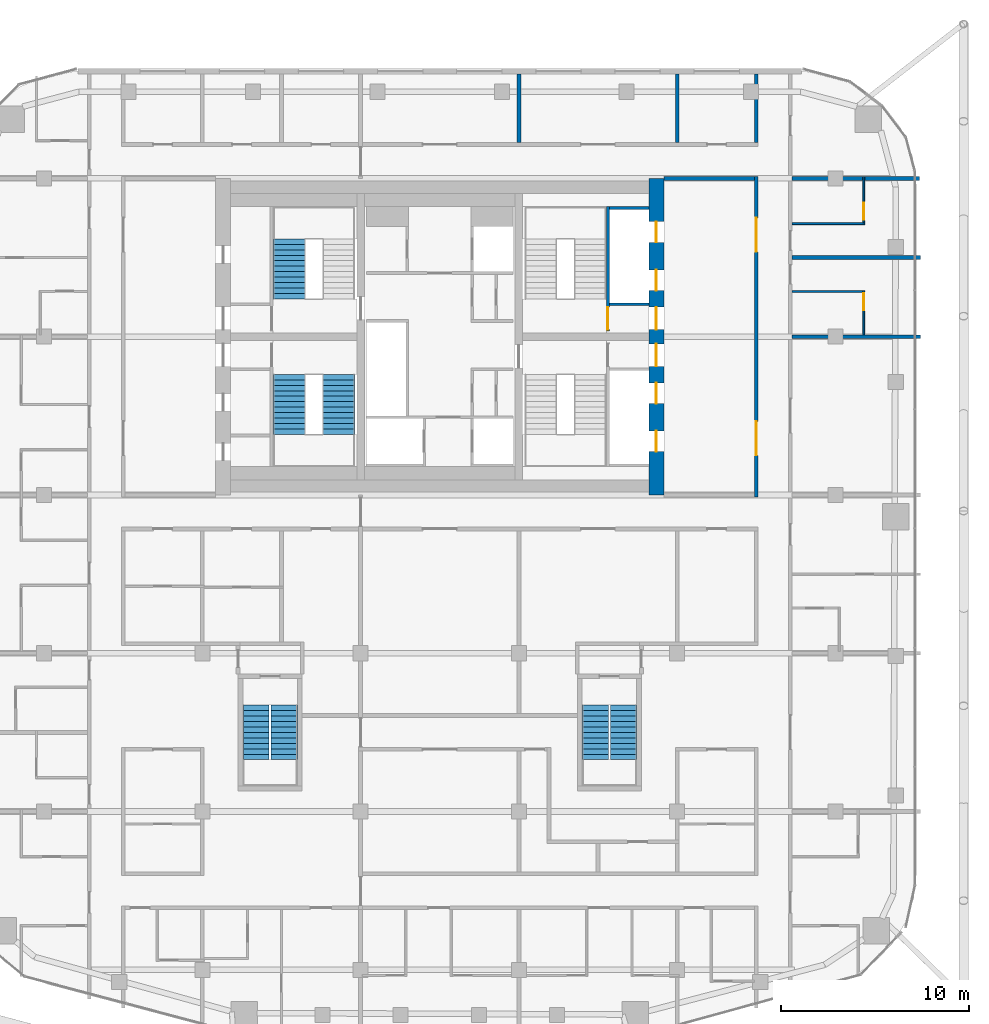
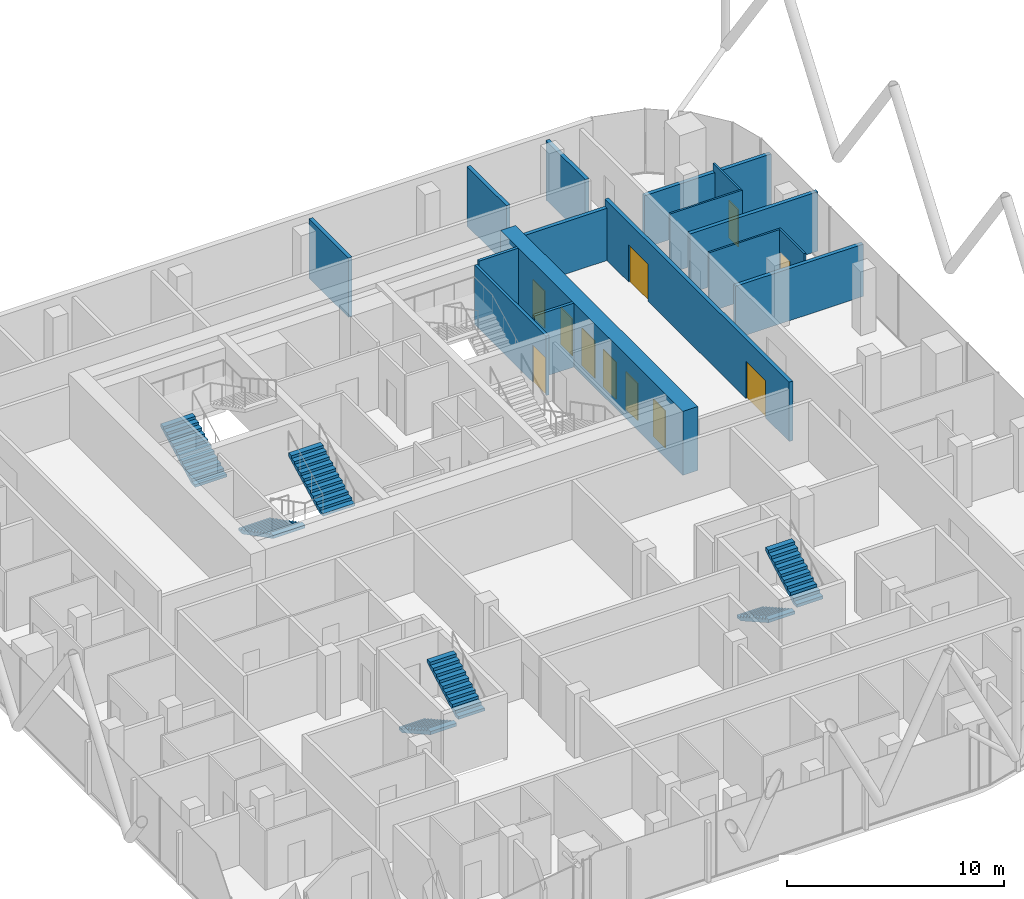
# One storey, part 26 of 28: 16 walls, 11 doors, 7 stair flights, 11 openings, 4 elements without a shape of their own.
"""IFC4 building model written with IfcOpenShell, lengths in metres."""

from ifc_helpers import new_model, si_unit, direction, frame, frame_2d, origin, place, context, subcontext, project, spatial, polyline, rectangle, outline, extrude, material, layer, layer_set, type_object, element, fill, aggregate, save


model = new_model("IFC4")

# Units and contexts
model_context = context("Model", 3, precision=1e-05, world=origin(), true_north=direction((0.0, 1.0)))
body_context = subcontext(model_context, "Body", "Model", "MODEL_VIEW")
ifc_project = project(units=[si_unit("LENGTHUNIT", "METRE"), si_unit("AREAUNIT", "SQUARE_METRE"), si_unit("VOLUMEUNIT", "CUBIC_METRE"), si_unit("PLANEANGLEUNIT", "RADIAN"), si_unit("MASSUNIT", "GRAM", prefix="KILO")], contexts=[model_context])

# Site, building, storey
site_placement = place(None, origin())
site = spatial("IfcSite", under=ifc_project, at=site_placement, CompositionType="ELEMENT")
building_placement = place(site_placement, origin())
building = spatial("IfcBuilding", under=site, at=building_placement, Name="Marenta Gate Hotel Tower", CompositionType="ELEMENT")
storey_placement = place(building_placement, frame((0.0, 0.0, 198.5)))
storey = spatial("IfcBuildingStorey", under=building, at=storey_placement, Name="L45", CompositionType="ELEMENT", Elevation=198.5)

# Wall, openings, doors
ifc_material_1 = material(Name="Concrete blockwork", Category="masonry")
ifc_layer_1 = layer(ifc_material_1, 0.199951171875)
ifc_layer_set_1 = layer_set([ifc_layer_1], Name="Concrete blockwork")
wall_type_1 = type_object("IfcWallType", Name="Core boundary wall 200 REI 180", PredefinedType="PARTITIONING", material=ifc_layer_set_1)
wall_1_placement = place(storey_placement, frame((16.800048828125, -0.10009765625, 0.0), z_axis=(0.0, 0.0, 1.0), x_axis=(0.0, 1.0, 0.0)))
wall_1 = element("IfcWall", 1, at=wall_1_placement, inside=storey, type_object=wall_type_1, Name="L45-CP-BW-E", PredefinedType="PARTITIONING", context=body_context, shape_type="SweptSolid", body=[
    extrude(rectangle(XDim=17.0, YDim=0.199951171875, at=frame_2d((8.5, 0.0))), origin(), (0.0, 0.0, 1.0), 3.340087890625),
])
opening_1_placement = place(wall_1_placement, frame((2.199951171875, 0.0, 0.0)))
opening_1 = element("IfcOpeningElement", 2, at=opening_1_placement, cuts=wall_1, Name="Opening ED-Ea-B", PredefinedType="OPENING", context=body_context, shape_type="SweptSolid", body=[
    extrude(rectangle(XDim=1.800048828125, YDim=2.10009765625, at=frame_2d((0.89990234375, 1.050048828125))), frame((0.0, 0.10009765625, 0.0), z_axis=(0.0, -1.0, 0.0), x_axis=(1.0, 0.0, 0.0)), (0.0, 0.0, 1.0), 0.199951171875),
])
opening_2_placement = place(wall_1_placement, frame((13.0, 0.0, 0.0)))
opening_2 = element("IfcOpeningElement", 3, at=opening_2_placement, cuts=wall_1, Name="Opening ED-Eb-B", PredefinedType="OPENING", context=body_context, shape_type="SweptSolid", body=[
    extrude(rectangle(XDim=1.800048828125, YDim=2.10009765625, at=frame_2d((0.89990234375, 1.050048828125))), frame((0.0, 0.10009765625, 0.0), z_axis=(0.0, -1.0, 0.0), x_axis=(1.0, 0.0, 0.0)), (0.0, 0.0, 1.0), 0.199951171875),
])
ifc_material_2 = material(Name="Steel", Category="steel")
door_type_1 = type_object("IfcDoorType", Name="Core lobby entrance door 1800x2100 EI 60", OperationType="DOUBLE_DOOR_SINGLE_SWING", PredefinedType="DOOR", material=ifc_material_2)
door_1_placement = place(opening_1_placement, origin())
door_1 = element("IfcDoor", 4, at=door_1_placement, inside=storey, type_object=door_type_1, Name="ED-Ea-B", OperationType="DOUBLE_DOOR_SINGLE_SWING", OverallHeight=2.10009765625, OverallWidth=1.800048828125, PredefinedType="DOOR", context=body_context, shape_type="SweptSolid", body=[
    extrude(rectangle(XDim=1.800048828125, YDim=2.10009765625, at=frame_2d((0.89990234375, 1.050048828125))), frame((0.0, 0.02490234375, 0.0), z_axis=(0.0, -1.0, 0.0), x_axis=(1.0, 0.0, 0.0)), (0.0, 0.0, 1.0), 0.050048828125),
])
fill(opening_1, door_1)
door_2_placement = place(opening_2_placement, origin())
door_2 = element("IfcDoor", 5, at=door_2_placement, inside=storey, type_object=door_type_1, Name="ED-Eb-B", OperationType="DOUBLE_DOOR_SINGLE_SWING", OverallHeight=2.10009765625, OverallWidth=1.800048828125, PredefinedType="DOOR", context=body_context, shape_type="SweptSolid", body=[
    extrude(rectangle(XDim=1.800048828125, YDim=2.10009765625, at=frame_2d((0.89990234375, 1.050048828125))), frame((0.0, 0.02490234375, 0.0), z_axis=(0.0, -1.0, 0.0), x_axis=(1.0, 0.0, 0.0)), (0.0, 0.0, 1.0), 0.050048828125),
])
fill(opening_2, door_2)

# Walls
wall_2_placement = place(storey_placement, frame((11.89990234375, 16.800048828125, 0.0), z_axis=(0.0, 0.0, 1.0), x_axis=(1.0, 0.0, 0.0)))
element("IfcWall", 6, at=wall_2_placement, inside=storey, type_object=wall_type_1, Name="L45-CP-EW-EN", PredefinedType="PARTITIONING", context=body_context, shape_type="SweptSolid", body=[
    extrude(rectangle(XDim=4.800048828125, YDim=0.199951171875, at=frame_2d((2.39990234375, 0.0))), origin(), (0.0, 0.0, 1.0), 2.93994140625),
])
ifc_material_3 = material(Name="Concrete C40", Category="concrete")
ifc_layer_2 = layer(ifc_material_3, 0.14990234375)
ifc_layer_set_2 = layer_set([ifc_layer_2], Name="Concrete C40")
wall_type_2 = type_object("IfcWallType", Name="Core shaft wall 150 REI 180", PredefinedType="SHEAR", material=ifc_layer_set_2)
for number, where, z_axis, x_axis, name in (
    (7, (9.0, 10.125, 0.0), (0.0, 0.0, 1.0), (1.0, 0.0, 0.0), "L45-SHF-SW-EN-2"),
    (8, (9.0, 15.22509765625, 0.0), (0.0, 0.0, 1.0), (1.0, 0.0, 0.0), "L45-SHF-SW-EN-5"),
):
    element("IfcWall", number, at=place(storey_placement, frame(where, z_axis=z_axis, x_axis=x_axis)), inside=storey, type_object=wall_type_2, Name=name, PredefinedType="SHEAR", context=body_context, shape_type="SweptSolid", body=[
        extrude(rectangle(XDim=2.10009765625, YDim=0.14990234375, at=frame_2d((1.050048828125, 0.0))), origin(), (0.0, 0.0, 1.0), 3.60009765625),
    ])

# Wall, opening, door
ifc_material_4 = material(Name="Concrete C40", Category="concrete")
ifc_layer_3 = layer(ifc_material_4, 0.14990234375)
ifc_layer_set_3 = layer_set([ifc_layer_3], Name="Concrete C40")
wall_type_3 = type_object("IfcWallType", Name="Core stair enclosure wall 150 REI 180", PredefinedType="SHEAR", material=ifc_layer_set_3)
wall_3_placement = place(storey_placement, frame((8.925048828125, 8.699951171875, 0.0), z_axis=(0.0, 0.0, 1.0), x_axis=(0.0, 1.0, 0.0)))
wall_3 = element("IfcWall", 9, at=wall_3_placement, inside=storey, type_object=wall_type_3, Name="L45-SHF-SW-EN-3", PredefinedType="SHEAR", context=body_context, shape_type="SweptSolid", body=[
    extrude(rectangle(XDim=6.60009765625, YDim=0.14990234375, at=frame_2d((3.300048828125, 0.0))), origin(), (0.0, 0.0, 1.0), 3.340087890625),
])
opening_3_placement = place(wall_3_placement, frame((0.074951171875, 0.0, 0.0)))
opening_3 = element("IfcOpeningElement", 10, at=opening_3_placement, cuts=wall_3, Name="Opening SD-EN", PredefinedType="OPENING", context=body_context, shape_type="SweptSolid", body=[
    extrude(rectangle(XDim=1.199951171875, YDim=2.10009765625, at=frame_2d((0.60009765625, 1.050048828125))), frame((0.0, 0.074951171875, 0.0), z_axis=(0.0, -1.0, 0.0), x_axis=(1.0, 0.0, 0.0)), (0.0, 0.0, 1.0), 0.14990234375),
])
ifc_material_5 = material(Name="Steel", Category="steel")
door_type_2 = type_object("IfcDoorType", Name="Core stair door 1200x2100 FD60", OperationType="SINGLE_SWING_LEFT", PredefinedType="DOOR", material=ifc_material_5)
door_3_placement = place(opening_3_placement, origin())
door_3 = element("IfcDoor", 11, at=door_3_placement, inside=storey, type_object=door_type_2, Name="SD-EN", OperationType="SINGLE_SWING_LEFT", OverallHeight=2.10009765625, OverallWidth=1.199951171875, PredefinedType="DOOR", context=body_context, shape_type="SweptSolid", body=[
    extrude(rectangle(XDim=1.199951171875, YDim=2.10009765625, at=frame_2d((0.60009765625, 1.050048828125))), frame((0.0, 0.02490234375, 0.0), z_axis=(0.0, -1.0, 0.0), x_axis=(1.0, 0.0, 0.0)), (0.0, 0.0, 1.0), 0.050048828125),
])
fill(opening_3, door_3)

# Wall, openings, doors
ifc_material_6 = material(Name="Concrete C60", Category="concrete")
ifc_layer_4 = layer(ifc_material_6, 0.800048828125)
ifc_layer_set_4 = layer_set([ifc_layer_4], Name="Concrete C60")
wall_type_4 = type_object("IfcWallType", Name="Core wall 800 C60", PredefinedType="SHEAR", material=ifc_layer_set_4)
wall_4_placement = place(storey_placement, frame((11.5, 0.0, 0.0), z_axis=(0.0, 0.0, 1.0), x_axis=(0.0, 1.0, 0.0)))
wall_4 = element("IfcWall", 12, at=wall_4_placement, inside=storey, type_object=wall_type_4, Name="L45-CORE-E", PredefinedType="SHEAR", context=body_context, shape_type="SweptSolid", body=[
    extrude(rectangle(XDim=16.800048828125, YDim=0.800048828125, at=frame_2d((8.39990234375, 0.0))), origin(), (0.0, 0.0, 1.0), 3.60009765625),
])
opening_4_placement = place(wall_4_placement, frame((2.300048828125, 0.0, 0.0)))
opening_4 = element("IfcOpeningElement", 13, at=opening_4_placement, cuts=wall_4, Name="Opening LD-HR1", PredefinedType="OPENING", context=body_context, shape_type="SweptSolid", body=[
    extrude(rectangle(XDim=1.10009765625, YDim=2.10009765625, at=frame_2d((0.550048828125, 1.050048828125))), frame((0.0, 0.39990234375, 0.0), z_axis=(0.0, -1.0, 0.0), x_axis=(1.0, 0.0, 0.0)), (0.0, 0.0, 1.0), 0.800048828125),
])
opening_5_placement = place(wall_4_placement, frame((4.85009765625, 0.0, 0.0)))
opening_5 = element("IfcOpeningElement", 14, at=opening_5_placement, cuts=wall_4, Name="Opening LD-HR2", PredefinedType="OPENING", context=body_context, shape_type="SweptSolid", body=[
    extrude(rectangle(XDim=1.10009765625, YDim=2.10009765625, at=frame_2d((0.550048828125, 1.050048828125))), frame((0.0, 0.39990234375, 0.0), z_axis=(0.0, -1.0, 0.0), x_axis=(1.0, 0.0, 0.0)), (0.0, 0.0, 1.0), 0.800048828125),
])
opening_6_placement = place(wall_4_placement, frame((6.824951171875, 0.0, 0.0)))
opening_6 = element("IfcOpeningElement", 15, at=opening_6_placement, cuts=wall_4, Name="Opening PD-ES", PredefinedType="OPENING", context=body_context, shape_type="SweptSolid", body=[
    extrude(rectangle(XDim=1.199951171875, YDim=2.10009765625, at=frame_2d((0.60009765625, 1.050048828125))), frame((0.0, 0.39990234375, 0.0), z_axis=(0.0, -1.0, 0.0), x_axis=(1.0, 0.0, 0.0)), (0.0, 0.0, 1.0), 0.800048828125),
])
opening_7_placement = place(wall_4_placement, frame((13.39990234375, 0.0, 0.0)))
opening_7 = element("IfcOpeningElement", 16, at=opening_7_placement, cuts=wall_4, Name="Opening LD-HR4", PredefinedType="OPENING", context=body_context, shape_type="SweptSolid", body=[
    extrude(rectangle(XDim=1.10009765625, YDim=2.10009765625, at=frame_2d((0.550048828125, 1.050048828125))), frame((0.0, 0.39990234375, 0.0), z_axis=(0.0, -1.0, 0.0), x_axis=(1.0, 0.0, 0.0)), (0.0, 0.0, 1.0), 0.800048828125),
])
opening_8_placement = place(wall_4_placement, frame((10.85009765625, 0.0, 0.0)))
opening_8 = element("IfcOpeningElement", 17, at=opening_8_placement, cuts=wall_4, Name="Opening LD-HR3", PredefinedType="OPENING", context=body_context, shape_type="SweptSolid", body=[
    extrude(rectangle(XDim=1.10009765625, YDim=2.10009765625, at=frame_2d((0.550048828125, 1.050048828125))), frame((0.0, 0.39990234375, 0.0), z_axis=(0.0, -1.0, 0.0), x_axis=(1.0, 0.0, 0.0)), (0.0, 0.0, 1.0), 0.800048828125),
])
opening_9_placement = place(wall_4_placement, frame((8.77490234375, 0.0, 0.0)))
opening_9 = element("IfcOpeningElement", 18, at=opening_9_placement, cuts=wall_4, Name="Opening PD-EN", PredefinedType="OPENING", context=body_context, shape_type="SweptSolid", body=[
    extrude(rectangle(XDim=1.199951171875, YDim=2.10009765625, at=frame_2d((0.60009765625, 1.050048828125))), frame((0.0, 0.39990234375, 0.0), z_axis=(0.0, -1.0, 0.0), x_axis=(1.0, 0.0, 0.0)), (0.0, 0.0, 1.0), 0.800048828125),
])
ifc_material_7 = material(Name="Steel", Category="steel")
door_type_3 = type_object("IfcDoorType", Name="Core lift landing door 1100x2100 E 60", OperationType="SLIDING_TO_LEFT", PredefinedType="DOOR", material=ifc_material_7)
door_4_placement = place(opening_4_placement, origin())
door_4 = element("IfcDoor", 19, at=door_4_placement, inside=storey, type_object=door_type_3, Name="LD-HR1", OperationType="SLIDING_TO_LEFT", OverallHeight=2.10009765625, OverallWidth=1.10009765625, PredefinedType="DOOR", context=body_context, shape_type="SweptSolid", body=[
    extrude(rectangle(XDim=1.10009765625, YDim=2.10009765625, at=frame_2d((0.550048828125, 1.050048828125))), frame((0.0, 0.02490234375, 0.0), z_axis=(0.0, -1.0, 0.0), x_axis=(1.0, 0.0, 0.0)), (0.0, 0.0, 1.0), 0.050048828125),
])
fill(opening_4, door_4)
door_5_placement = place(opening_5_placement, origin())
door_5 = element("IfcDoor", 20, at=door_5_placement, inside=storey, type_object=door_type_3, Name="LD-HR2", OperationType="SLIDING_TO_LEFT", OverallHeight=2.10009765625, OverallWidth=1.10009765625, PredefinedType="DOOR", context=body_context, shape_type="SweptSolid", body=[
    extrude(rectangle(XDim=1.10009765625, YDim=2.10009765625, at=frame_2d((0.550048828125, 1.050048828125))), frame((0.0, 0.02490234375, 0.0), z_axis=(0.0, -1.0, 0.0), x_axis=(1.0, 0.0, 0.0)), (0.0, 0.0, 1.0), 0.050048828125),
])
fill(opening_5, door_5)
door_6_placement = place(opening_7_placement, origin())
door_6 = element("IfcDoor", 21, at=door_6_placement, inside=storey, type_object=door_type_3, Name="LD-HR4", OperationType="SLIDING_TO_LEFT", OverallHeight=2.10009765625, OverallWidth=1.10009765625, PredefinedType="DOOR", context=body_context, shape_type="SweptSolid", body=[
    extrude(rectangle(XDim=1.10009765625, YDim=2.10009765625, at=frame_2d((0.550048828125, 1.050048828125))), frame((0.0, 0.02490234375, 0.0), z_axis=(0.0, -1.0, 0.0), x_axis=(1.0, 0.0, 0.0)), (0.0, 0.0, 1.0), 0.050048828125),
])
fill(opening_7, door_6)
door_7_placement = place(opening_8_placement, origin())
door_7 = element("IfcDoor", 22, at=door_7_placement, inside=storey, type_object=door_type_3, Name="LD-HR3", OperationType="SLIDING_TO_LEFT", OverallHeight=2.10009765625, OverallWidth=1.10009765625, PredefinedType="DOOR", context=body_context, shape_type="SweptSolid", body=[
    extrude(rectangle(XDim=1.10009765625, YDim=2.10009765625, at=frame_2d((0.550048828125, 1.050048828125))), frame((0.0, 0.02490234375, 0.0), z_axis=(0.0, -1.0, 0.0), x_axis=(1.0, 0.0, 0.0)), (0.0, 0.0, 1.0), 0.050048828125),
])
fill(opening_8, door_7)
ifc_material_8 = material(Name="Steel", Category="steel")
door_type_4 = type_object("IfcDoorType", Name="Core lobby door 1200x2100 FD60", OperationType="SINGLE_SWING_LEFT", PredefinedType="DOOR", material=ifc_material_8)
door_8_placement = place(opening_6_placement, origin())
door_8 = element("IfcDoor", 23, at=door_8_placement, inside=storey, type_object=door_type_4, Name="PD-ES", OperationType="SINGLE_SWING_LEFT", OverallHeight=2.10009765625, OverallWidth=1.199951171875, PredefinedType="DOOR", context=body_context, shape_type="SweptSolid", body=[
    extrude(rectangle(XDim=1.199951171875, YDim=2.10009765625, at=frame_2d((0.60009765625, 1.050048828125))), frame((0.0, 0.02490234375, 0.0), z_axis=(0.0, -1.0, 0.0), x_axis=(1.0, 0.0, 0.0)), (0.0, 0.0, 1.0), 0.050048828125),
])
fill(opening_6, door_8)
door_9_placement = place(opening_9_placement, origin())
door_9 = element("IfcDoor", 24, at=door_9_placement, inside=storey, type_object=door_type_4, Name="PD-EN", OperationType="SINGLE_SWING_LEFT", OverallHeight=2.10009765625, OverallWidth=1.199951171875, PredefinedType="DOOR", context=body_context, shape_type="SweptSolid", body=[
    extrude(rectangle(XDim=1.199951171875, YDim=2.10009765625, at=frame_2d((0.60009765625, 1.050048828125))), frame((0.0, 0.02490234375, 0.0), z_axis=(0.0, -1.0, 0.0), x_axis=(1.0, 0.0, 0.0)), (0.0, 0.0, 1.0), 0.050048828125),
])
fill(opening_9, door_9)

# Wall
ifc_material_9 = material(Name="Gypsum board on steel stud", Category="steel")
ifc_layer_5 = layer(ifc_material_9, 0.199951171875)
ifc_layer_set_5 = layer_set([ifc_layer_5], Name="Gypsum board on steel stud")
wall_type_5 = type_object("IfcWallType", Name="Room corridor wall 200 EI 60", PredefinedType="PARTITIONING", material=ifc_layer_set_5)
wall_5_placement = place(storey_placement, frame((16.800048828125, 18.699951171875, 0.0), z_axis=(0.0, 0.0, 1.0), x_axis=(0.0, 1.0, 0.0)))
element("IfcWall", 25, at=wall_5_placement, inside=storey, type_object=wall_type_5, Name="L45-PTN-W026", PredefinedType="PARTITIONING", context=body_context, shape_type="SweptSolid", body=[
    extrude(rectangle(XDim=3.64013671875, YDim=0.199951171875, at=frame_2d((1.820068359375, 0.0))), origin(), (0.0, 0.0, 1.0), 3.340087890625),
])

# Wall, opening, door
ifc_material_10 = material(Name="Gypsum board on steel stud", Category="steel")
ifc_layer_6 = layer(ifc_material_10, 0.10009765625)
ifc_layer_set_6 = layer_set([ifc_layer_6], Name="Gypsum board on steel stud")
wall_type_6 = type_object("IfcWallType", Name="Room partition 100", PredefinedType="PARTITIONING", material=ifc_layer_set_6)
wall_6_placement = place(storey_placement, frame((22.5, 8.5, 0.0), z_axis=(0.0, 0.0, 1.0), x_axis=(0.0, 1.0, 0.0)))
wall_6 = element("IfcWall", 26, at=wall_6_placement, inside=storey, type_object=wall_type_6, Name="L45-PTN-W009", PredefinedType="PARTITIONING", context=body_context, shape_type="SweptSolid", body=[
    extrude(rectangle(XDim=2.35009765625, YDim=0.10009765625, at=frame_2d((1.175048828125, 0.0))), origin(), (0.0, 0.0, 1.0), 3.340087890625),
])
opening_10_placement = place(wall_6_placement, frame((1.300048828125, 0.0, 0.0)))
opening_10 = element("IfcOpeningElement", 27, at=opening_10_placement, cuts=wall_6, Name="Opening G16-25", PredefinedType="OPENING", context=body_context, shape_type="SweptSolid", body=[
    extrude(rectangle(XDim=0.89990234375, YDim=2.10009765625, at=frame_2d((0.449951171875, 1.050048828125))), frame((0.0, 0.050048828125, 0.0), z_axis=(0.0, -1.0, 0.0), x_axis=(1.0, 0.0, 0.0)), (0.0, 0.0, 1.0), 0.10009765625),
])
ifc_material_11 = material(Name="Timber door leaf", Category="wood")
door_type_5 = type_object("IfcDoorType", Name="Guest bathroom door 900x2100", OperationType="NOTDEFINED", PredefinedType="DOOR", material=ifc_material_11)
door_10_placement = place(opening_10_placement, origin())
door_10 = element("IfcDoor", 28, at=door_10_placement, inside=storey, type_object=door_type_5, Name="L45-PD-D025", OperationType="SINGLE_SWING_RIGHT", OverallHeight=2.10009765625, OverallWidth=0.89990234375, PredefinedType="DOOR", context=body_context, shape_type="SweptSolid", body=[
    extrude(rectangle(XDim=0.89990234375, YDim=2.10009765625, at=frame_2d((0.449951171875, 1.050048828125))), frame((0.0, 0.02490234375, 0.0), z_axis=(0.0, -1.0, 0.0), x_axis=(1.0, 0.0, 0.0)), (0.0, 0.0, 1.0), 0.050048828125),
])
fill(opening_10, door_10)

wall_7_placement = place(storey_placement, frame((22.5, 14.449951171875, 0.0), z_axis=(0.0, 0.0, 1.0), x_axis=(0.0, 1.0, 0.0)))
wall_7 = element("IfcWall", 29, at=wall_7_placement, inside=storey, type_object=wall_type_6, Name="L45-PTN-W010", PredefinedType="PARTITIONING", context=body_context, shape_type="SweptSolid", body=[
    extrude(rectangle(XDim=2.449951171875, YDim=0.10009765625, at=frame_2d((1.22509765625, 0.0))), origin(), (0.0, 0.0, 1.0), 3.340087890625),
])
opening_11_placement = place(wall_7_placement, frame((0.14990234375, 0.0, 0.0)))
opening_11 = element("IfcOpeningElement", 30, at=opening_11_placement, cuts=wall_7, Name="Opening G16-27", PredefinedType="OPENING", context=body_context, shape_type="SweptSolid", body=[
    extrude(rectangle(XDim=0.89990234375, YDim=2.10009765625, at=frame_2d((0.449951171875, 1.050048828125))), frame((0.0, 0.050048828125, 0.0), z_axis=(0.0, -1.0, 0.0), x_axis=(1.0, 0.0, 0.0)), (0.0, 0.0, 1.0), 0.10009765625),
])
door_11_placement = place(opening_11_placement, origin())
door_11 = element("IfcDoor", 31, at=door_11_placement, inside=storey, type_object=door_type_5, Name="L45-PD-D027", OperationType="SINGLE_SWING_LEFT", OverallHeight=2.10009765625, OverallWidth=0.89990234375, PredefinedType="DOOR", context=body_context, shape_type="SweptSolid", body=[
    extrude(rectangle(XDim=0.89990234375, YDim=2.10009765625, at=frame_2d((0.449951171875, 1.050048828125))), frame((0.0, 0.02490234375, 0.0), z_axis=(0.0, -1.0, 0.0), x_axis=(1.0, 0.0, 0.0)), (0.0, 0.0, 1.0), 0.050048828125),
])
fill(opening_11, door_11)

# Walls
wall_8_placement = place(storey_placement, frame((18.699951171875, 10.800048828125, 0.0), z_axis=(0.0, 0.0, 1.0), x_axis=(1.0, 0.0, 0.0)))
element("IfcWall", 32, at=wall_8_placement, inside=storey, type_object=wall_type_6, Name="L45-PTN-W084", PredefinedType="PARTITIONING", context=body_context, shape_type="SweptSolid", body=[
    extrude(rectangle(XDim=3.75, YDim=0.10009765625, at=frame_2d((1.875, 0.0))), origin(), (0.0, 0.0, 1.0), 3.340087890625),
])
wall_9_placement = place(storey_placement, frame((18.699951171875, 14.39990234375, 0.0), z_axis=(0.0, 0.0, 1.0), x_axis=(1.0, 0.0, 0.0)))
element("IfcWall", 33, at=wall_9_placement, inside=storey, type_object=wall_type_6, Name="L45-PTN-W091", PredefinedType="PARTITIONING", context=body_context, shape_type="SweptSolid", body=[
    extrude(rectangle(XDim=3.85009765625, YDim=0.10009765625, at=frame_2d((1.925048828125, 0.0))), origin(), (0.0, 0.0, 1.0), 3.340087890625),
])
ifc_material_12 = material(Name="Gypsum board on steel stud", Category="steel")
ifc_layer_7 = layer(ifc_material_12, 0.199951171875)
ifc_layer_set_7 = layer_set([ifc_layer_7], Name="Gypsum board on steel stud")
wall_type_7 = type_object("IfcWallType", Name="Room party wall 200 EI 60", PredefinedType="PARTITIONING", material=ifc_layer_set_7)
for number, where, z_axis, x_axis, name in (
    (34, (12.60009765625, 18.699951171875, 0.0), (0.0, 0.0, 1.0), (0.0, 1.0, 0.0), "L45-PTN-W037"),
    (35, (4.199951171875, 18.699951171875, 0.0), (0.0, 0.0, 1.0), (0.0, 1.0, 0.0), "L45-PTN-W061"),
):
    element("IfcWall", number, at=place(storey_placement, frame(where, z_axis=z_axis, x_axis=x_axis)), inside=storey, type_object=wall_type_7, Name=name, PredefinedType="PARTITIONING", context=body_context, shape_type="SweptSolid", body=[
        extrude(rectangle(XDim=3.64013671875, YDim=0.199951171875, at=frame_2d((1.820068359375, 0.0))), origin(), (0.0, 0.0, 1.0), 3.340087890625),
    ])
wall_10_placement = place(storey_placement, frame((18.699951171875, 8.39990234375, 0.0), z_axis=(0.0, 0.0, 1.0), x_axis=(1.0, 0.0, 0.0)))
element("IfcWall", 36, at=wall_10_placement, inside=storey, type_object=wall_type_7, Name="L45-PTN-W080", PredefinedType="PARTITIONING", context=body_context, shape_type="SweptSolid", body=[
    extrude(rectangle(XDim=6.800048828125, YDim=0.199951171875, at=frame_2d((3.39990234375, 0.0))), origin(), (0.0, 0.0, 1.0), 2.93994140625),
])
wall_11_placement = place(storey_placement, frame((18.699951171875, 12.60009765625, 0.0), z_axis=(0.0, 0.0, 1.0), x_axis=(1.0, 0.0, 0.0)))
element("IfcWall", 37, at=wall_11_placement, inside=storey, type_object=wall_type_7, Name="L45-PTN-W090", PredefinedType="PARTITIONING", context=body_context, shape_type="SweptSolid", body=[
    extrude(rectangle(XDim=6.800048828125, YDim=0.199951171875, at=frame_2d((3.39990234375, 0.0))), origin(), (0.0, 0.0, 1.0), 3.340087890625),
])
wall_12_placement = place(storey_placement, frame((18.699951171875, 16.800048828125, 0.0), z_axis=(0.0, 0.0, 1.0), x_axis=(1.0, 0.0, 0.0)))
element("IfcWall", 38, at=wall_12_placement, inside=storey, type_object=wall_type_7, Name="L45-PTN-W098", PredefinedType="PARTITIONING", context=body_context, shape_type="SweptSolid", body=[
    extrude(rectangle(XDim=6.7470703125, YDim=0.199951171875, at=frame_2d((3.37353515625, 0.0))), origin(), (0.0, 0.0, 1.0), 2.93994140625),
])

# Stair, stair flights
ifc_material_13 = material(Name="Concrete C40", Category="concrete")
stair_type_1 = type_object("IfcStairType", Name="Core exit stair 1700 wide", PredefinedType="HALF_TURN_STAIR", material=ifc_material_13)
stair_1_placement = place(storey_placement, origin())
stair_1 = element("IfcStair", 39, at=stair_1_placement, inside=storey, type_object=stair_type_1, Name="Exit stair 1", PredefinedType="HALF_TURN_STAIR")
ifc_material_14 = material(Name="Concrete C40", Category="concrete")
stair_flight_type_1 = type_object("IfcStairFlightType", Name="Core stair flight 1700 riser 150.0 going 290", PredefinedType="STRAIGHT", material=ifc_material_14)
stair_flight_1_placement = place(storey_placement, frame((-8.0, 6.39990234375, 0.0), z_axis=(0.0, 0.0, 1.0), x_axis=(0.0, -1.0, 0.0)))
stair_flight_1 = element("IfcStairFlight", 40, at=stair_flight_1_placement, type_object=stair_flight_type_1, Name="ST1 flight 1", NumberOfRisers=12, NumberOfTreads=11, PredefinedType="STRAIGHT", RiserHeight=0.15, TreadLength=0.29, context=body_context, shape_type="SweptSolid", body=[
    extrude(outline(polyline([(0.0, 0.0), (0.0, 0.14990234375), (0.2900390625, 0.14990234375), (0.2900390625, 0.300048828125), (0.580078125, 0.300048828125), (0.580078125, 0.449951171875), (0.8701171875, 0.449951171875), (0.8701171875, 0.60009765625), (1.159912109375, 0.60009765625), (1.159912109375, 0.75), (1.449951171875, 0.75), (1.449951171875, 0.89990234375), (1.739990234375, 0.89990234375), (1.739990234375, 1.050048828125), (2.030029296875, 1.050048828125), (2.030029296875, 1.199951171875), (2.320068359375, 1.199951171875), (2.320068359375, 1.35009765625), (2.610107421875, 1.35009765625), (2.610107421875, 1.5), (2.89990234375, 1.5), (2.89990234375, 1.64990234375), (3.18994140625, 1.64990234375), (3.18994140625, 1.800048828125), (3.18994140625, 1.481201171875), (0.326171875, 0.0), (0.0, 0.0)])), frame((0.0, 0.85009765625, 0.0), z_axis=(0.0, -1.0, 0.0), x_axis=(1.0, 0.0, 0.0)), (0.0, 0.0, 1.0), 1.699951171875),
])
stair_flight_2_placement = place(storey_placement, frame((-5.35009765625, 3.2099609375, 1.800048828125), z_axis=(0.0, 0.0, 1.0), x_axis=(0.0, 1.0, 0.0)))
stair_flight_2 = element("IfcStairFlight", 41, at=stair_flight_2_placement, type_object=stair_flight_type_1, Name="ST1 flight 2", NumberOfRisers=12, NumberOfTreads=11, PredefinedType="STRAIGHT", RiserHeight=0.15, TreadLength=0.29, context=body_context, shape_type="SweptSolid", body=[
    extrude(outline(polyline([(0.0, 0.0), (0.0, 0.14990234375), (0.2900390625, 0.14990234375), (0.2900390625, 0.300048828125), (0.580078125, 0.300048828125), (0.580078125, 0.449951171875), (0.8701171875, 0.449951171875), (0.8701171875, 0.60009765625), (1.159912109375, 0.60009765625), (1.159912109375, 0.75), (1.449951171875, 0.75), (1.449951171875, 0.89990234375), (1.739990234375, 0.89990234375), (1.739990234375, 1.050048828125), (2.030029296875, 1.050048828125), (2.030029296875, 1.199951171875), (2.320068359375, 1.199951171875), (2.320068359375, 1.35009765625), (2.610107421875, 1.35009765625), (2.610107421875, 1.5), (2.89990234375, 1.5), (2.89990234375, 1.64990234375), (3.18994140625, 1.64990234375), (3.18994140625, 1.800048828125), (3.18994140625, 1.481201171875), (0.326171875, 0.0), (0.0, 0.0)])), frame((0.0, 0.85009765625, 0.0), z_axis=(0.0, -1.0, 0.0), x_axis=(1.0, 0.0, 0.0)), (0.0, 0.0, 1.0), 1.699951171875),
])
aggregate(stair_1, [stair_flight_1, stair_flight_2])

# Stair, stair flight
stair_2_placement = place(storey_placement, origin())
stair_2 = element("IfcStair", 42, at=stair_2_placement, inside=storey, type_object=stair_type_1, Name="Exit stair 2", PredefinedType="HALF_TURN_STAIR")
stair_flight_3_placement = place(storey_placement, frame((-8.0, 10.39990234375, 0.0), z_axis=(0.0, 0.0, 1.0), x_axis=(0.0, 1.0, 0.0)))
stair_flight_3 = element("IfcStairFlight", 43, at=stair_flight_3_placement, type_object=stair_flight_type_1, Name="ST2 flight 1", NumberOfRisers=12, NumberOfTreads=11, PredefinedType="STRAIGHT", RiserHeight=0.15, TreadLength=0.29, context=body_context, shape_type="SweptSolid", body=[
    extrude(outline(polyline([(0.0, 0.0), (0.0, 0.14990234375), (0.2900390625, 0.14990234375), (0.2900390625, 0.300048828125), (0.580078125, 0.300048828125), (0.580078125, 0.449951171875), (0.8701171875, 0.449951171875), (0.8701171875, 0.60009765625), (1.159912109375, 0.60009765625), (1.159912109375, 0.75), (1.449951171875, 0.75), (1.449951171875, 0.89990234375), (1.739990234375, 0.89990234375), (1.739990234375, 1.050048828125), (2.030029296875, 1.050048828125), (2.030029296875, 1.199951171875), (2.320068359375, 1.199951171875), (2.320068359375, 1.35009765625), (2.610107421875, 1.35009765625), (2.610107421875, 1.5), (2.89990234375, 1.5), (2.89990234375, 1.64990234375), (3.18994140625, 1.64990234375), (3.18994140625, 1.800048828125), (3.18994140625, 1.481201171875), (0.326171875, 0.0), (0.0, 0.0)])), frame((0.0, 0.85009765625, 0.0), z_axis=(0.0, -1.0, 0.0), x_axis=(1.0, 0.0, 0.0)), (0.0, 0.0, 1.0), 1.699951171875),
])
aggregate(stair_2, [stair_flight_3])

# Stair, stair flights
ifc_material_15 = material(Name="Concrete C40", Category="concrete")
stair_type_2 = type_object("IfcStairType", Name="Remote exit stair 1400 wide", PredefinedType="HALF_TURN_STAIR", material=ifc_material_15)
stair_3_placement = place(storey_placement, origin())
stair_3 = element("IfcStair", 44, at=stair_3_placement, inside=storey, type_object=stair_type_2, Name="Exit stair RS-Z3-1", PredefinedType="HALF_TURN_STAIR")
ifc_material_16 = material(Name="Concrete C40", Category="concrete")
stair_flight_type_2 = type_object("IfcStairFlightType", Name="Remote stair flight 1400 riser 163.6 going 290", PredefinedType="STRAIGHT", material=ifc_material_16)
stair_flight_4_placement = place(storey_placement, frame((-9.75, -11.14990234375, 0.0), z_axis=(0.0, 0.0, 1.0), x_axis=(0.0, -1.0, 0.0)))
stair_flight_4 = element("IfcStairFlight", 45, at=stair_flight_4_placement, type_object=stair_flight_type_2, Name="RS-Z3-1 flight 1", NumberOfRisers=11, NumberOfTreads=10, PredefinedType="STRAIGHT", RiserHeight=0.163636, TreadLength=0.29, context=body_context, shape_type="SweptSolid", body=[
    extrude(outline(polyline([(0.0, 0.0), (0.0, 0.16357421875), (0.2900390625, 0.16357421875), (0.2900390625, 0.327392578125), (0.580078125, 0.327392578125), (0.580078125, 0.490966796875), (0.8701171875, 0.490966796875), (0.8701171875, 0.654541015625), (1.159912109375, 0.654541015625), (1.159912109375, 0.818115234375), (1.449951171875, 0.818115234375), (1.449951171875, 0.98193359375), (1.739990234375, 0.98193359375), (1.739990234375, 1.1455078125), (2.030029296875, 1.1455078125), (2.030029296875, 1.30908203125), (2.320068359375, 1.30908203125), (2.320068359375, 1.47265625), (2.610107421875, 1.47265625), (2.610107421875, 1.636474609375), (2.89990234375, 1.636474609375), (2.89990234375, 1.800048828125), (2.89990234375, 1.46435546875), (0.304931640625, 0.0), (0.0, 0.0)])), frame((0.0, 0.699951171875, 0.0), z_axis=(0.0, -1.0, 0.0), x_axis=(1.0, 0.0, 0.0)), (0.0, 0.0, 1.0), 1.39990234375),
])
stair_flight_5_placement = place(storey_placement, frame((-8.25, -14.050048828125, 1.800048828125), z_axis=(0.0, 0.0, 1.0), x_axis=(0.0, 1.0, 0.0)))
stair_flight_5 = element("IfcStairFlight", 46, at=stair_flight_5_placement, type_object=stair_flight_type_2, Name="RS-Z3-1 flight 2", NumberOfRisers=11, NumberOfTreads=10, PredefinedType="STRAIGHT", RiserHeight=0.163636, TreadLength=0.29, context=body_context, shape_type="SweptSolid", body=[
    extrude(outline(polyline([(0.0, 0.0), (0.0, 0.16357421875), (0.2900390625, 0.16357421875), (0.2900390625, 0.327392578125), (0.580078125, 0.327392578125), (0.580078125, 0.490966796875), (0.8701171875, 0.490966796875), (0.8701171875, 0.654541015625), (1.159912109375, 0.654541015625), (1.159912109375, 0.818115234375), (1.449951171875, 0.818115234375), (1.449951171875, 0.98193359375), (1.739990234375, 0.98193359375), (1.739990234375, 1.1455078125), (2.030029296875, 1.1455078125), (2.030029296875, 1.30908203125), (2.320068359375, 1.30908203125), (2.320068359375, 1.47265625), (2.610107421875, 1.47265625), (2.610107421875, 1.636474609375), (2.89990234375, 1.636474609375), (2.89990234375, 1.800048828125), (2.89990234375, 1.46435546875), (0.304931640625, 0.0), (0.0, 0.0)])), frame((0.0, 0.699951171875, 0.0), z_axis=(0.0, -1.0, 0.0), x_axis=(1.0, 0.0, 0.0)), (0.0, 0.0, 1.0), 1.39990234375),
])
aggregate(stair_3, [stair_flight_4, stair_flight_5])

stair_4_placement = place(storey_placement, origin())
stair_4 = element("IfcStair", 47, at=stair_4_placement, inside=storey, type_object=stair_type_2, Name="Exit stair RS-Z3-2", PredefinedType="HALF_TURN_STAIR")
stair_flight_6_placement = place(storey_placement, frame((8.25, -11.14990234375, 0.0), z_axis=(0.0, 0.0, 1.0), x_axis=(0.0, -1.0, 0.0)))
stair_flight_6 = element("IfcStairFlight", 48, at=stair_flight_6_placement, type_object=stair_flight_type_2, Name="RS-Z3-2 flight 1", NumberOfRisers=11, NumberOfTreads=10, PredefinedType="STRAIGHT", RiserHeight=0.163636, TreadLength=0.29, context=body_context, shape_type="SweptSolid", body=[
    extrude(outline(polyline([(0.0, 0.0), (0.0, 0.16357421875), (0.2900390625, 0.16357421875), (0.2900390625, 0.327392578125), (0.580078125, 0.327392578125), (0.580078125, 0.490966796875), (0.8701171875, 0.490966796875), (0.8701171875, 0.654541015625), (1.159912109375, 0.654541015625), (1.159912109375, 0.818115234375), (1.449951171875, 0.818115234375), (1.449951171875, 0.98193359375), (1.739990234375, 0.98193359375), (1.739990234375, 1.1455078125), (2.030029296875, 1.1455078125), (2.030029296875, 1.30908203125), (2.320068359375, 1.30908203125), (2.320068359375, 1.47265625), (2.610107421875, 1.47265625), (2.610107421875, 1.636474609375), (2.89990234375, 1.636474609375), (2.89990234375, 1.800048828125), (2.89990234375, 1.46435546875), (0.304931640625, 0.0), (0.0, 0.0)])), frame((0.0, 0.699951171875, 0.0), z_axis=(0.0, -1.0, 0.0), x_axis=(1.0, 0.0, 0.0)), (0.0, 0.0, 1.0), 1.39990234375),
])
stair_flight_7_placement = place(storey_placement, frame((9.75, -14.050048828125, 1.800048828125), z_axis=(0.0, 0.0, 1.0), x_axis=(0.0, 1.0, 0.0)))
stair_flight_7 = element("IfcStairFlight", 49, at=stair_flight_7_placement, type_object=stair_flight_type_2, Name="RS-Z3-2 flight 2", NumberOfRisers=11, NumberOfTreads=10, PredefinedType="STRAIGHT", RiserHeight=0.163636, TreadLength=0.29, context=body_context, shape_type="SweptSolid", body=[
    extrude(outline(polyline([(0.0, 0.0), (0.0, 0.16357421875), (0.2900390625, 0.16357421875), (0.2900390625, 0.327392578125), (0.580078125, 0.327392578125), (0.580078125, 0.490966796875), (0.8701171875, 0.490966796875), (0.8701171875, 0.654541015625), (1.159912109375, 0.654541015625), (1.159912109375, 0.818115234375), (1.449951171875, 0.818115234375), (1.449951171875, 0.98193359375), (1.739990234375, 0.98193359375), (1.739990234375, 1.1455078125), (2.030029296875, 1.1455078125), (2.030029296875, 1.30908203125), (2.320068359375, 1.30908203125), (2.320068359375, 1.47265625), (2.610107421875, 1.47265625), (2.610107421875, 1.636474609375), (2.89990234375, 1.636474609375), (2.89990234375, 1.800048828125), (2.89990234375, 1.46435546875), (0.304931640625, 0.0), (0.0, 0.0)])), frame((0.0, 0.699951171875, 0.0), z_axis=(0.0, -1.0, 0.0), x_axis=(1.0, 0.0, 0.0)), (0.0, 0.0, 1.0), 1.39990234375),
])
aggregate(stair_4, [stair_flight_6, stair_flight_7])

save(model, "model.ifc")
